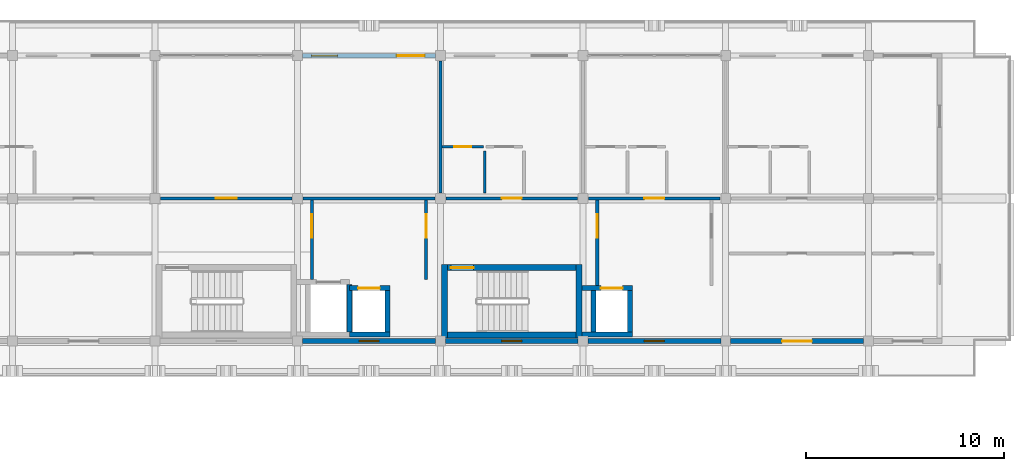
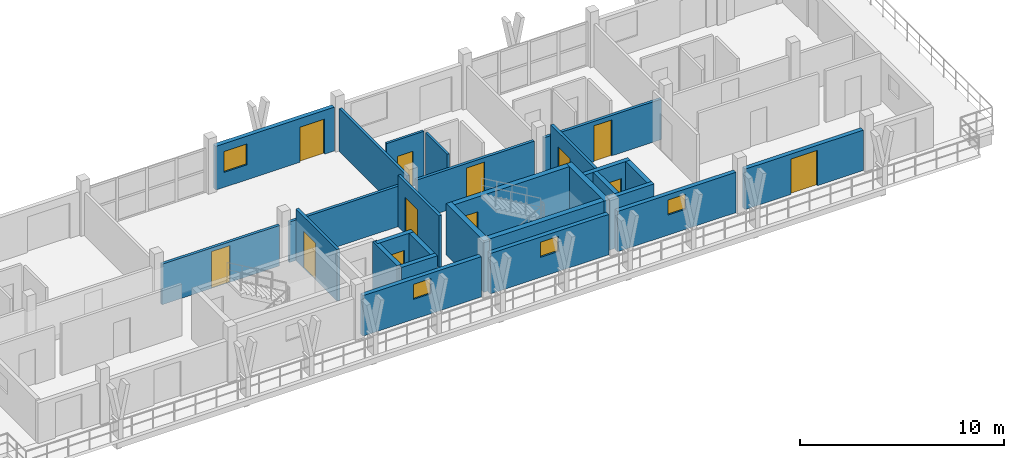
# One storey, part 14 of 19: 27 walls, 12 doors, 4 windows, 16 openings.
"""IFC4 building model written with IfcOpenShell, lengths in metres."""

from ifc_helpers import new_model, si_unit, direction, frame, frame_2d, origin, place, context, subcontext, project, spatial, rectangle, extrude, material, layer, layer_set, type_object, element, fill, save


model = new_model("IFC4")

# Units and contexts
model_context = context("Model", 3, precision=1e-05, world=origin(), true_north=direction((0.0, 1.0)))
body_context = subcontext(model_context, "Body", "Model", "MODEL_VIEW")
ifc_project = project(units=[si_unit("LENGTHUNIT", "METRE"), si_unit("AREAUNIT", "SQUARE_METRE"), si_unit("VOLUMEUNIT", "CUBIC_METRE"), si_unit("PLANEANGLEUNIT", "RADIAN"), si_unit("MASSUNIT", "GRAM", prefix="KILO")], contexts=[model_context])

# Site, building, storey
site_placement = place(None, origin())
site = spatial("IfcSite", under=ifc_project, at=site_placement, CompositionType="ELEMENT")
building_placement = place(site_placement, origin())
building = spatial("IfcBuilding", under=site, at=building_placement, Name="Suanplinth Sawtooth Commons", CompositionType="ELEMENT")
storey_placement = place(building_placement, frame((0.0, 0.0, 44.39990234375)))
storey = spatial("IfcBuildingStorey", under=building, at=storey_placement, Name="L13", CompositionType="ELEMENT", Elevation=44.39990234375)

# Wall
ifc_material_1 = material(Name="Concrete C40/50", Category="concrete")
ifc_layer_1 = layer(ifc_material_1, 0.300048828125, Name="Standard RC stair and lift core wall 300mm")
ifc_layer_set_1 = layer_set([ifc_layer_1], Name="Concrete C40/50")
wall_type_1 = type_object("IfcWallType", Name="W-CR02", PredefinedType="SHEAR", material=ifc_layer_set_1)
wall_1_placement = place(storey_placement, frame((57.949951171875, 108.300048828125, 0.0), z_axis=(0.0, 0.0, 1.0), x_axis=(1.0, 0.0, 0.0)))
element("IfcWall", 1, at=wall_1_placement, inside=storey, type_object=wall_type_1, Name="W-L13-C-A2-STS", PredefinedType="SHEAR", context=body_context, shape_type="SweptSolid", body=[
    extrude(rectangle(XDim=6.5, YDim=0.300048828125, at=frame_2d((3.25, 0.0))), origin(), (0.0, 0.0, 1.0), 3.080078125),
])

# Wall, opening, door
wall_2_placement = place(storey_placement, frame((57.949951171875, 111.699951171875, 0.0), z_axis=(0.0, 0.0, 1.0), x_axis=(1.0, 0.0, 0.0)))
wall_2 = element("IfcWall", 2, at=wall_2_placement, inside=storey, type_object=wall_type_1, Name="W-L13-C-A2-STN", PredefinedType="SHEAR", context=body_context, shape_type="SweptSolid", body=[
    extrude(rectangle(XDim=6.5, YDim=0.300048828125, at=frame_2d((3.25, 0.0))), origin(), (0.0, 0.0, 1.0), 3.080078125),
])
opening_1_placement = place(wall_2_placement, frame((0.179931640625, 0.0, 0.0)))
opening_1 = element("IfcOpeningElement", 3, at=opening_1_placement, cuts=wall_2, Name="Opening FD0142", PredefinedType="OPENING", context=body_context, shape_type="SweptSolid", body=[
    extrude(rectangle(XDim=1.14990234375, YDim=2.199951171875, at=frame_2d((0.574951171875, 1.10009765625))), frame((0.0, 0.1650390625, 0.0), z_axis=(0.0, -1.0, 0.0), x_axis=(1.0, 0.0, 0.0)), (0.0, 0.0, 1.0), 0.329833984375),
])
ifc_material_2 = material(Name="Teak hardwood fire-rated door assembly", Category="wood")
door_type_1 = type_object("IfcDoorType", Name="FD-01", OperationType="NOTDEFINED", PredefinedType="DOOR", material=ifc_material_2)
door_1_placement = place(opening_1_placement, frame((1.14990234375, 0.0, 0.0), z_axis=(0.0, 0.0, 1.0), x_axis=(-1.0, 0.0, 0.0)))
door_1 = element("IfcDoor", 4, at=door_1_placement, inside=storey, type_object=door_type_1, Name="Exit Stair Fire Door FD0142", OperationType="SINGLE_SWING_LEFT", OverallHeight=2.199951171875, OverallWidth=1.14990234375, PredefinedType="DOOR", context=body_context, shape_type="SweptSolid", body=[
    extrude(rectangle(XDim=1.14990234375, YDim=2.199951171875, at=frame_2d((0.574951171875, 1.10009765625))), frame((0.0, 0.02490234375, 0.0), z_axis=(0.0, -1.0, 0.0), x_axis=(1.0, 0.0, 0.0)), (0.0, 0.0, 1.0), 0.050048828125),
])
fill(opening_1, door_1)

# Walls
for number, where, z_axis, x_axis, name in (
    (5, (57.800048828125, 108.14990234375, 0.0), (0.0, 0.0, 1.0), (0.0, 1.0, 0.0), "W-L13-C-A2-STW"),
    (6, (64.60009765625, 108.14990234375, 0.0), (0.0, 0.0, 1.0), (0.0, 1.0, 0.0), "W-L13-C-A2-STE"),
):
    element("IfcWall", number, at=place(storey_placement, frame(where, z_axis=z_axis, x_axis=x_axis)), inside=storey, type_object=wall_type_1, Name=name, PredefinedType="SHEAR", context=body_context, shape_type="SweptSolid", body=[
        extrude(rectangle(XDim=3.7001953125, YDim=0.300048828125, at=frame_2d((1.85009765625, 0.0))), origin(), (0.0, 0.0, 1.0), 3.080078125),
    ])

# Wall, openings, door, window
ifc_material_3 = material(Name="Precast concrete C40/50", Category="concrete")
ifc_layer_2 = layer(ifc_material_3, 0.239990234375, Name="Upper insulated precast facade wall 240mm")
ifc_layer_set_2 = layer_set([ifc_layer_2], Name="Precast concrete C40/50")
wall_type_2 = type_object("IfcWallType", Name="W-EX03", PredefinedType="ELEMENTEDWALL", material=ifc_layer_set_2)
wall_3_placement = place(storey_placement, frame((50.64990234375, 122.39990234375, 0.0), z_axis=(0.0, 0.0, 1.0), x_axis=(1.0, 0.0, 0.0)))
wall_3 = element("IfcWall", 7, at=wall_3_placement, inside=storey, type_object=wall_type_2, Name="Facade Wall W-L13-A-N-3", PredefinedType="ELEMENTEDWALL", context=body_context, shape_type="SweptSolid", body=[
    extrude(rectangle(XDim=6.7001953125, YDim=0.239990234375, at=frame_2d((3.35009765625, 0.0))), origin(), (0.0, 0.0, 1.0), 2.614990234375),
])
opening_2_placement = place(wall_3_placement, frame((4.75, 0.0, 0.0)))
opening_2 = element("IfcOpeningElement", 8, at=opening_2_placement, cuts=wall_3, Name="Opening ED0837", PredefinedType="OPENING", context=body_context, shape_type="SweptSolid", body=[
    extrude(rectangle(XDim=1.39990234375, YDim=2.10009765625, at=frame_2d((0.699951171875, 1.050048828125))), frame((0.0, 0.134765625, 0.0), z_axis=(0.0, -1.0, 0.0), x_axis=(1.0, 0.0, 0.0)), (0.0, 0.0, 1.0), 0.269775390625),
])
opening_3_placement = place(wall_3_placement, frame((0.449951171875, 0.0, 0.89990234375)))
opening_3 = element("IfcOpeningElement", 9, at=opening_3_placement, cuts=wall_3, Name="Opening W0919", PredefinedType="OPENING", context=body_context, shape_type="SweptSolid", body=[
    extrude(rectangle(XDim=1.300048828125, YDim=1.25, at=frame_2d((0.64990234375, 0.625))), frame((0.0, 0.134765625, 0.0), z_axis=(0.0, -1.0, 0.0), x_axis=(1.0, 0.0, 0.0)), (0.0, 0.0, 1.0), 0.269775390625),
])
ifc_material_4 = material(Name="Anodized aluminium and low-E glass", Category="aluminium")
door_type_2 = type_object("IfcDoorType", Name="SD-07", OperationType="SLIDING_TO_RIGHT", PredefinedType="DOOR", material=ifc_material_4)
door_2_placement = place(opening_2_placement, frame((1.39990234375, 0.0, 0.0), z_axis=(0.0, 0.0, 1.0), x_axis=(-1.0, 0.0, 0.0)))
door_2 = element("IfcDoor", 10, at=door_2_placement, inside=storey, type_object=door_type_2, Name="Balcony Sliding Door L13-A-N-3", OperationType="SLIDING_TO_RIGHT", OverallHeight=2.10009765625, OverallWidth=1.39990234375, PredefinedType="DOOR", context=body_context, shape_type="SweptSolid", body=[
    extrude(rectangle(XDim=1.39990234375, YDim=2.10009765625, at=frame_2d((0.699951171875, 1.050048828125))), frame((0.0, 0.02490234375, 0.0), z_axis=(0.0, -1.0, 0.0), x_axis=(1.0, 0.0, 0.0)), (0.0, 0.0, 1.0), 0.050048828125),
])
fill(opening_2, door_2)
ifc_material_5 = material(Name="Thermally broken aluminium and low-E double glazing", Category="aluminium")
window_type_1 = type_object("IfcWindowType", Name="WN-24", PartitioningType="SINGLE_PANEL", PredefinedType="WINDOW", material=ifc_material_5)
window_1_placement = place(opening_3_placement, origin())
window_1 = element("IfcWindow", 11, at=window_1_placement, inside=storey, type_object=window_type_1, Name="Window L13-A-N-3", OverallHeight=1.25, OverallWidth=1.300048828125, PartitioningType="SINGLE_PANEL", PredefinedType="WINDOW", context=body_context, shape_type="SweptSolid", body=[
    extrude(rectangle(XDim=1.300048828125, YDim=1.25, at=frame_2d((0.64990234375, 0.625))), frame((0.0, 0.030029296875, 0.0), z_axis=(0.0, -1.0, 0.0), x_axis=(1.0, 0.0, 0.0)), (0.0, 0.0, 1.0), 0.06005859375),
])
fill(opening_3, window_1)

# Wall, opening, window
wall_4_placement = place(storey_placement, frame((50.64990234375, 108.0, 0.0), z_axis=(0.0, 0.0, 1.0), x_axis=(1.0, 0.0, 0.0)))
wall_4 = element("IfcWall", 12, at=wall_4_placement, inside=storey, type_object=wall_type_2, Name="Courtyard Wall W-L13-A-S-3", PredefinedType="ELEMENTEDWALL", context=body_context, shape_type="SweptSolid", body=[
    extrude(rectangle(XDim=6.7001953125, YDim=0.239990234375, at=frame_2d((3.35009765625, 0.0))), origin(), (0.0, 0.0, 1.0), 2.4150390625),
])
opening_4_placement = place(wall_4_placement, frame((2.85009765625, 0.0, 1.199951171875)))
opening_4 = element("IfcOpeningElement", 13, at=opening_4_placement, cuts=wall_4, Name="Opening W0920", PredefinedType="OPENING", context=body_context, shape_type="SweptSolid", body=[
    extrude(rectangle(XDim=1.0, YDim=0.89990234375, at=frame_2d((0.5, 0.449951171875))), frame((0.0, 0.134765625, 0.0), z_axis=(0.0, -1.0, 0.0), x_axis=(1.0, 0.0, 0.0)), (0.0, 0.0, 1.0), 0.269775390625),
])
window_type_2 = type_object("IfcWindowType", Name="WN-12", PartitioningType="SINGLE_PANEL", PredefinedType="WINDOW", material=ifc_material_5)
window_2_placement = place(opening_4_placement, origin())
window_2 = element("IfcWindow", 14, at=window_2_placement, inside=storey, type_object=window_type_2, Name="Core Daylight Window L13-A-3", OverallHeight=0.89990234375, OverallWidth=1.0, PartitioningType="SINGLE_PANEL", PredefinedType="WINDOW", context=body_context, shape_type="SweptSolid", body=[
    extrude(rectangle(XDim=1.0, YDim=0.89990234375, at=frame_2d((0.5, 0.449951171875))), frame((0.0, 0.030029296875, 0.0), z_axis=(0.0, -1.0, 0.0), x_axis=(1.0, 0.0, 0.0)), (0.0, 0.0, 1.0), 0.06005859375),
])
fill(opening_4, window_2)

wall_5_placement = place(storey_placement, frame((57.85009765625, 108.0, 0.0), z_axis=(0.0, 0.0, 1.0), x_axis=(1.0, 0.0, 0.0)))
wall_5 = element("IfcWall", 15, at=wall_5_placement, inside=storey, type_object=wall_type_2, Name="Courtyard Wall W-L13-A-S-4", PredefinedType="ELEMENTEDWALL", context=body_context, shape_type="SweptSolid", body=[
    extrude(rectangle(XDim=6.699951171875, YDim=0.239990234375, at=frame_2d((3.35009765625, 0.0))), origin(), (0.0, 0.0, 1.0), 2.4150390625),
])
opening_5_placement = place(wall_5_placement, frame((2.85009765625, 0.0, 1.199951171875)))
opening_5 = element("IfcOpeningElement", 16, at=opening_5_placement, cuts=wall_5, Name="Opening W0922", PredefinedType="OPENING", context=body_context, shape_type="SweptSolid", body=[
    extrude(rectangle(XDim=1.0, YDim=0.89990234375, at=frame_2d((0.5, 0.449951171875))), frame((0.0, 0.134765625, 0.0), z_axis=(0.0, -1.0, 0.0), x_axis=(1.0, 0.0, 0.0)), (0.0, 0.0, 1.0), 0.269775390625),
])
window_3_placement = place(opening_5_placement, origin())
window_3 = element("IfcWindow", 17, at=window_3_placement, inside=storey, type_object=window_type_2, Name="Core Daylight Window L13-A-4", OverallHeight=0.89990234375, OverallWidth=1.0, PartitioningType="SINGLE_PANEL", PredefinedType="WINDOW", context=body_context, shape_type="SweptSolid", body=[
    extrude(rectangle(XDim=1.0, YDim=0.89990234375, at=frame_2d((0.5, 0.449951171875))), frame((0.0, 0.030029296875, 0.0), z_axis=(0.0, -1.0, 0.0), x_axis=(1.0, 0.0, 0.0)), (0.0, 0.0, 1.0), 0.06005859375),
])
fill(opening_5, window_3)

wall_6_placement = place(storey_placement, frame((65.050048828125, 108.0, 0.0), z_axis=(0.0, 0.0, 1.0), x_axis=(1.0, 0.0, 0.0)))
wall_6 = element("IfcWall", 18, at=wall_6_placement, inside=storey, type_object=wall_type_2, Name="Courtyard Wall W-L13-A-S-5", PredefinedType="ELEMENTEDWALL", context=body_context, shape_type="SweptSolid", body=[
    extrude(rectangle(XDim=6.699951171875, YDim=0.239990234375, at=frame_2d((3.35009765625, 0.0))), origin(), (0.0, 0.0, 1.0), 2.4150390625),
])
opening_6_placement = place(wall_6_placement, frame((2.85009765625, 0.0, 1.199951171875)))
opening_6 = element("IfcOpeningElement", 19, at=opening_6_placement, cuts=wall_6, Name="Opening W0923", PredefinedType="OPENING", context=body_context, shape_type="SweptSolid", body=[
    extrude(rectangle(XDim=1.0, YDim=0.89990234375, at=frame_2d((0.5, 0.449951171875))), frame((0.0, 0.134765625, 0.0), z_axis=(0.0, -1.0, 0.0), x_axis=(1.0, 0.0, 0.0)), (0.0, 0.0, 1.0), 0.269775390625),
])
window_4_placement = place(opening_6_placement, origin())
window_4 = element("IfcWindow", 20, at=window_4_placement, inside=storey, type_object=window_type_2, Name="Core Daylight Window L13-A-5", OverallHeight=0.89990234375, OverallWidth=1.0, PartitioningType="SINGLE_PANEL", PredefinedType="WINDOW", context=body_context, shape_type="SweptSolid", body=[
    extrude(rectangle(XDim=1.0, YDim=0.89990234375, at=frame_2d((0.5, 0.449951171875))), frame((0.0, 0.030029296875, 0.0), z_axis=(0.0, -1.0, 0.0), x_axis=(1.0, 0.0, 0.0)), (0.0, 0.0, 1.0), 0.06005859375),
])
fill(opening_6, window_4)

# Wall, opening, door
wall_7_placement = place(storey_placement, frame((72.25, 108.0, 0.0), z_axis=(0.0, 0.0, 1.0), x_axis=(1.0, 0.0, 0.0)))
wall_7 = element("IfcWall", 21, at=wall_7_placement, inside=storey, type_object=wall_type_2, Name="Courtyard Wall W-L13-A-S-6", PredefinedType="ELEMENTEDWALL", context=body_context, shape_type="SweptSolid", body=[
    extrude(rectangle(XDim=6.699951171875, YDim=0.239990234375, at=frame_2d((3.35009765625, 0.0))), origin(), (0.0, 0.0, 1.0), 2.4150390625),
])
opening_7_placement = place(wall_7_placement, frame((2.60009765625, 0.0, 0.0)))
opening_7 = element("IfcOpeningElement", 22, at=opening_7_placement, cuts=wall_7, Name="Opening ED0840", PredefinedType="OPENING", context=body_context, shape_type="SweptSolid", body=[
    extrude(rectangle(XDim=1.5, YDim=2.1201171875, at=frame_2d((0.75, 1.06005859375))), frame((0.0, 0.134765625, 0.0), z_axis=(0.0, -1.0, 0.0), x_axis=(1.0, 0.0, 0.0)), (0.0, 0.0, 1.0), 0.269775390625),
])
door_type_3 = type_object("IfcDoorType", Name="SD-03", OperationType="SLIDING_TO_LEFT", PredefinedType="DOOR", material=ifc_material_4)
door_3_placement = place(opening_7_placement, frame((1.5, 0.0, 0.0), z_axis=(0.0, 0.0, 1.0), x_axis=(-1.0, 0.0, 0.0)))
door_3 = element("IfcDoor", 23, at=door_3_placement, inside=storey, type_object=door_type_3, Name="Courtyard Balcony Sliding Door L13-A-S-6", OperationType="SLIDING_TO_LEFT", OverallHeight=2.1201171875, OverallWidth=1.5, PredefinedType="DOOR", context=body_context, shape_type="SweptSolid", body=[
    extrude(rectangle(XDim=1.5, YDim=2.1201171875, at=frame_2d((0.75, 1.06005859375))), frame((0.0, 0.02490234375, 0.0), z_axis=(0.0, -1.0, 0.0), x_axis=(1.0, 0.0, 0.0)), (0.0, 0.0, 1.0), 0.050048828125),
])
fill(opening_7, door_3)

ifc_layer_3 = layer(ifc_material_3, 0.159912109375, Name="Fire-rated corridor and lobby wall 160mm")
ifc_layer_set_3 = layer_set([ifc_layer_3], Name="Precast concrete C40/50")
wall_type_3 = type_object("IfcWallType", Name="W-FW01", PredefinedType="PARTITIONING", material=ifc_layer_set_3)
wall_8_placement = place(storey_placement, frame((51.1201171875, 111.10009765625, 0.0), z_axis=(0.0, 0.0, 1.0), x_axis=(0.0, 1.0, 0.0)))
wall_8 = element("IfcWall", 24, at=wall_8_placement, inside=storey, type_object=wall_type_3, Name="W-L13-C-A1-LOB-W", PredefinedType="PARTITIONING", context=body_context, shape_type="SweptSolid", body=[
    extrude(rectangle(XDim=4.02001953125, YDim=0.159912109375, at=frame_2d((2.010009765625, 0.0))), origin(), (0.0, 0.0, 1.0), 3.080078125),
])
opening_8_placement = place(wall_8_placement, frame((2.10009765625, 0.0, 0.0)))
opening_8 = element("IfcOpeningElement", 25, at=opening_8_placement, cuts=wall_8, Name="Opening FD0072", PredefinedType="OPENING", context=body_context, shape_type="SweptSolid", body=[
    extrude(rectangle(XDim=1.199951171875, YDim=2.199951171875, at=frame_2d((0.60009765625, 1.10009765625))), frame((0.0, 0.0947265625, 0.0), z_axis=(0.0, -1.0, 0.0), x_axis=(1.0, 0.0, 0.0)), (0.0, 0.0, 1.0), 0.189697265625),
])
door_type_4 = type_object("IfcDoorType", Name="FD-02", OperationType="NOTDEFINED", PredefinedType="DOOR", material=ifc_material_2)
door_4_placement = place(opening_8_placement, origin())
door_4 = element("IfcDoor", 26, at=door_4_placement, inside=storey, type_object=door_type_4, Name="Lobby Fire Door FD0072", OperationType="SINGLE_SWING_LEFT", OverallHeight=2.199951171875, OverallWidth=1.199951171875, PredefinedType="DOOR", context=body_context, shape_type="SweptSolid", body=[
    extrude(rectangle(XDim=1.199951171875, YDim=2.199951171875, at=frame_2d((0.60009765625, 1.10009765625))), frame((0.0, 0.02490234375, 0.0), z_axis=(0.0, -1.0, 0.0), x_axis=(1.0, 0.0, 0.0)), (0.0, 0.0, 1.0), 0.050048828125),
])
fill(opening_8, door_4)

wall_9_placement = place(storey_placement, frame((56.8798828125, 111.10009765625, 0.0), z_axis=(0.0, 0.0, 1.0), x_axis=(0.0, 1.0, 0.0)))
wall_9 = element("IfcWall", 27, at=wall_9_placement, inside=storey, type_object=wall_type_3, Name="W-L13-C-A1-LOB-E", PredefinedType="PARTITIONING", context=body_context, shape_type="SweptSolid", body=[
    extrude(rectangle(XDim=4.02001953125, YDim=0.159912109375, at=frame_2d((2.010009765625, 0.0))), origin(), (0.0, 0.0, 1.0), 3.080078125),
])
opening_9_placement = place(wall_9_placement, frame((2.10009765625, 0.0, 0.0)))
opening_9 = element("IfcOpeningElement", 28, at=opening_9_placement, cuts=wall_9, Name="Opening FD0073", PredefinedType="OPENING", context=body_context, shape_type="SweptSolid", body=[
    extrude(rectangle(XDim=1.199951171875, YDim=2.199951171875, at=frame_2d((0.60009765625, 1.10009765625))), frame((0.0, 0.0947265625, 0.0), z_axis=(0.0, -1.0, 0.0), x_axis=(1.0, 0.0, 0.0)), (0.0, 0.0, 1.0), 0.189697265625),
])
door_5_placement = place(opening_9_placement, frame((1.199951171875, 0.0, 0.0), z_axis=(0.0, 0.0, 1.0), x_axis=(-1.0, 0.0, 0.0)))
door_5 = element("IfcDoor", 29, at=door_5_placement, inside=storey, type_object=door_type_4, Name="Lobby Fire Door FD0073", OperationType="SINGLE_SWING_RIGHT", OverallHeight=2.199951171875, OverallWidth=1.199951171875, PredefinedType="DOOR", context=body_context, shape_type="SweptSolid", body=[
    extrude(rectangle(XDim=1.199951171875, YDim=2.199951171875, at=frame_2d((0.60009765625, 1.10009765625))), frame((0.0, 0.02490234375, 0.0), z_axis=(0.0, -1.0, 0.0), x_axis=(1.0, 0.0, 0.0)), (0.0, 0.0, 1.0), 0.050048828125),
])
fill(opening_9, door_5)

wall_10_placement = place(storey_placement, frame((65.52001953125, 110.800048828125, 0.0), z_axis=(0.0, 0.0, 1.0), x_axis=(0.0, 1.0, 0.0)))
wall_10 = element("IfcWall", 30, at=wall_10_placement, inside=storey, type_object=wall_type_3, Name="W-L13-C-A2-LOB-W", PredefinedType="PARTITIONING", context=body_context, shape_type="SweptSolid", body=[
    extrude(rectangle(XDim=4.320068359375, YDim=0.159912109375, at=frame_2d((2.16015625, 0.0))), origin(), (0.0, 0.0, 1.0), 3.080078125),
])
opening_10_placement = place(wall_10_placement, frame((2.39990234375, 0.0, 0.0)))
opening_10 = element("IfcOpeningElement", 31, at=opening_10_placement, cuts=wall_10, Name="Opening FD0143", PredefinedType="OPENING", context=body_context, shape_type="SweptSolid", body=[
    extrude(rectangle(XDim=1.199951171875, YDim=2.199951171875, at=frame_2d((0.60009765625, 1.10009765625))), frame((0.0, 0.0947265625, 0.0), z_axis=(0.0, -1.0, 0.0), x_axis=(1.0, 0.0, 0.0)), (0.0, 0.0, 1.0), 0.189697265625),
])
door_6_placement = place(opening_10_placement, origin())
door_6 = element("IfcDoor", 32, at=door_6_placement, inside=storey, type_object=door_type_4, Name="Lobby Fire Door FD0143", OperationType="SINGLE_SWING_RIGHT", OverallHeight=2.199951171875, OverallWidth=1.199951171875, PredefinedType="DOOR", context=body_context, shape_type="SweptSolid", body=[
    extrude(rectangle(XDim=1.199951171875, YDim=2.199951171875, at=frame_2d((0.60009765625, 1.10009765625))), frame((0.0, 0.02490234375, 0.0), z_axis=(0.0, -1.0, 0.0), x_axis=(1.0, 0.0, 0.0)), (0.0, 0.0, 1.0), 0.050048828125),
])
fill(opening_10, door_6)

wall_11_placement = place(storey_placement, frame((43.47998046875, 115.199951171875, 0.0), z_axis=(0.0, 0.0, 1.0), x_axis=(1.0, 0.0, 0.0)))
wall_11 = element("IfcWall", 33, at=wall_11_placement, inside=storey, type_object=wall_type_3, Name="W-A-L13-U02-COR-S1", PredefinedType="PARTITIONING", context=body_context, shape_type="SweptSolid", body=[
    extrude(rectangle(XDim=6.64013671875, YDim=0.159912109375, at=frame_2d((3.320068359375, 0.0))), origin(), (0.0, 0.0, 1.0), 2.4150390625),
])
opening_11_placement = place(wall_11_placement, frame((2.794921875, 0.0, 0.0)))
opening_11 = element("IfcOpeningElement", 34, at=opening_11_placement, cuts=wall_11, Name="Opening D2041", PredefinedType="OPENING", context=body_context, shape_type="SweptSolid", body=[
    extrude(rectangle(XDim=1.050048828125, YDim=2.199951171875, at=frame_2d((0.52490234375, 1.10009765625))), frame((0.0, 0.0947265625, 0.0), z_axis=(0.0, -1.0, 0.0), x_axis=(1.0, 0.0, 0.0)), (0.0, 0.0, 1.0), 0.189697265625),
])
ifc_material_6 = material(Name="Teak hardwood", Category="wood")
door_type_5 = type_object("IfcDoorType", Name="D-05", OperationType="NOTDEFINED", PredefinedType="DOOR", material=ifc_material_6)
door_7_placement = place(opening_11_placement, origin())
door_7 = element("IfcDoor", 35, at=door_7_placement, inside=storey, type_object=door_type_5, Name="Unit Entrance Door D2041", OperationType="SINGLE_SWING_LEFT", OverallHeight=2.199951171875, OverallWidth=1.050048828125, PredefinedType="DOOR", context=body_context, shape_type="SweptSolid", body=[
    extrude(rectangle(XDim=1.050048828125, YDim=2.199951171875, at=frame_2d((0.52490234375, 1.10009765625))), frame((0.0, 0.02490234375, 0.0), z_axis=(0.0, -1.0, 0.0), x_axis=(1.0, 0.0, 0.0)), (0.0, 0.0, 1.0), 0.050048828125),
])
fill(opening_11, door_7)

# Wall
wall_12_placement = place(storey_placement, frame((50.679931640625, 115.199951171875, 0.0), z_axis=(0.0, 0.0, 1.0), x_axis=(1.0, 0.0, 0.0)))
element("IfcWall", 36, at=wall_12_placement, inside=storey, type_object=wall_type_3, Name="W-A-L13-U02-COR-S2", PredefinedType="PARTITIONING", context=body_context, shape_type="SweptSolid", body=[
    extrude(rectangle(XDim=6.64013671875, YDim=0.159912109375, at=frame_2d((3.320068359375, 0.0))), origin(), (0.0, 0.0, 1.0), 2.4150390625),
])

# Wall, opening, door
wall_13_placement = place(storey_placement, frame((57.8798828125, 115.199951171875, 0.0), z_axis=(0.0, 0.0, 1.0), x_axis=(1.0, 0.0, 0.0)))
wall_13 = element("IfcWall", 37, at=wall_13_placement, inside=storey, type_object=wall_type_3, Name="W-A-L13-U03-COR", PredefinedType="PARTITIONING", context=body_context, shape_type="SweptSolid", body=[
    extrude(rectangle(XDim=6.64013671875, YDim=0.159912109375, at=frame_2d((3.320068359375, 0.0))), origin(), (0.0, 0.0, 1.0), 2.4150390625),
])
opening_12_placement = place(wall_13_placement, frame((2.820068359375, 0.0, 0.0)))
opening_12 = element("IfcOpeningElement", 38, at=opening_12_placement, cuts=wall_13, Name="Opening FD2042", PredefinedType="OPENING", context=body_context, shape_type="SweptSolid", body=[
    extrude(rectangle(XDim=1.0, YDim=2.14990234375, at=frame_2d((0.5, 1.074951171875))), frame((0.0, 0.0947265625, 0.0), z_axis=(0.0, -1.0, 0.0), x_axis=(1.0, 0.0, 0.0)), (0.0, 0.0, 1.0), 0.189697265625),
])
door_type_6 = type_object("IfcDoorType", Name="FD-03", OperationType="NOTDEFINED", PredefinedType="DOOR", material=ifc_material_2)
door_8_placement = place(opening_12_placement, origin())
door_8 = element("IfcDoor", 39, at=door_8_placement, inside=storey, type_object=door_type_6, Name="Unit Entrance Door FD2042", OperationType="SINGLE_SWING_RIGHT", OverallHeight=2.14990234375, OverallWidth=1.0, PredefinedType="DOOR", context=body_context, shape_type="SweptSolid", body=[
    extrude(rectangle(XDim=1.0, YDim=2.14990234375, at=frame_2d((0.5, 1.074951171875))), frame((0.0, 0.02490234375, 0.0), z_axis=(0.0, -1.0, 0.0), x_axis=(1.0, 0.0, 0.0)), (0.0, 0.0, 1.0), 0.050048828125),
])
fill(opening_12, door_8)

wall_14_placement = place(storey_placement, frame((65.080078125, 115.199951171875, 0.0), z_axis=(0.0, 0.0, 1.0), x_axis=(1.0, 0.0, 0.0)))
wall_14 = element("IfcWall", 40, at=wall_14_placement, inside=storey, type_object=wall_type_3, Name="W-A-L13-U04-COR", PredefinedType="PARTITIONING", context=body_context, shape_type="SweptSolid", body=[
    extrude(rectangle(XDim=6.639892578125, YDim=0.159912109375, at=frame_2d((3.31982421875, 0.0))), origin(), (0.0, 0.0, 1.0), 2.4150390625),
])
opening_13_placement = place(wall_14_placement, frame((2.820068359375, 0.0, 0.0)))
opening_13 = element("IfcOpeningElement", 41, at=opening_13_placement, cuts=wall_14, Name="Opening FD2045", PredefinedType="OPENING", context=body_context, shape_type="SweptSolid", body=[
    extrude(rectangle(XDim=1.0, YDim=2.14990234375, at=frame_2d((0.5, 1.074951171875))), frame((0.0, 0.0947265625, 0.0), z_axis=(0.0, -1.0, 0.0), x_axis=(1.0, 0.0, 0.0)), (0.0, 0.0, 1.0), 0.189697265625),
])
door_9_placement = place(opening_13_placement, origin())
door_9 = element("IfcDoor", 42, at=door_9_placement, inside=storey, type_object=door_type_6, Name="Unit Entrance Door FD2045", OperationType="SINGLE_SWING_LEFT", OverallHeight=2.14990234375, OverallWidth=1.0, PredefinedType="DOOR", context=body_context, shape_type="SweptSolid", body=[
    extrude(rectangle(XDim=1.0, YDim=2.14990234375, at=frame_2d((0.5, 1.074951171875))), frame((0.0, 0.02490234375, 0.0), z_axis=(0.0, -1.0, 0.0), x_axis=(1.0, 0.0, 0.0)), (0.0, 0.0, 1.0), 0.050048828125),
])
fill(opening_13, door_9)

# Wall
ifc_layer_4 = layer(ifc_material_3, 0.14990234375, Name="Acoustic precast party demising wall 150mm")
ifc_layer_set_4 = layer_set([ifc_layer_4], Name="Precast concrete C40/50")
wall_type_4 = type_object("IfcWallType", Name="W-FW02", PredefinedType="PARTITIONING", material=ifc_layer_set_4)
wall_15_placement = place(storey_placement, frame((57.60009765625, 115.47998046875, 0.0), z_axis=(0.0, 0.0, 1.0), x_axis=(0.0, 1.0, 0.0)))
element("IfcWall", 43, at=wall_15_placement, inside=storey, type_object=wall_type_4, Name="W-A-L13-U02-PTY", PredefinedType="PARTITIONING", context=body_context, shape_type="SweptSolid", body=[
    extrude(rectangle(XDim=6.64013671875, YDim=0.14990234375, at=frame_2d((3.320068359375, 0.0))), origin(), (0.0, 0.0, 1.0), 2.565185546875),
])

# Wall, opening, door
ifc_material_7 = material(Name="Gypsum plasterboard on steel stud", Category="steel")
ifc_layer_5 = layer(ifc_material_7, 0.1298828125, Name="Moisture-resistant bathroom partition 130mm")
ifc_layer_set_5 = layer_set([ifc_layer_5], Name="Gypsum plasterboard on steel stud")
wall_type_5 = type_object("IfcWallType", Name="W-PT02", PredefinedType="PARTITIONING", material=ifc_layer_set_5)
wall_16_placement = place(storey_placement, frame((57.679931640625, 117.794921875, 0.0), z_axis=(0.0, 0.0, 1.0), x_axis=(1.0, 0.0, 0.0)))
wall_16 = element("IfcWall", 44, at=wall_16_placement, inside=storey, type_object=wall_type_5, Name="W-A-L13-U03-BTH1", PredefinedType="PARTITIONING", context=body_context, shape_type="SweptSolid", body=[
    extrude(rectangle(XDim=2.10009765625, YDim=0.1298828125, at=frame_2d((1.050048828125, 0.0))), origin(), (0.0, 0.0, 1.0), 3.080078125),
])
opening_14_placement = place(wall_16_placement, frame((0.610107421875, 0.0, 0.0)))
opening_14 = element("IfcOpeningElement", 45, at=opening_14_placement, cuts=wall_16, Name="Opening D2043", PredefinedType="OPENING", context=body_context, shape_type="SweptSolid", body=[
    extrude(rectangle(XDim=0.8798828125, YDim=2.10009765625, at=frame_2d((0.43994140625, 1.050048828125))), frame((0.0, 0.079833984375, 0.0), z_axis=(0.0, -1.0, 0.0), x_axis=(1.0, 0.0, 0.0)), (0.0, 0.0, 1.0), 0.15966796875),
])
door_type_7 = type_object("IfcDoorType", Name="D-14", OperationType="NOTDEFINED", PredefinedType="DOOR", material=ifc_material_6)
door_10_placement = place(opening_14_placement, frame((0.8798828125, 0.0, 0.0), z_axis=(0.0, 0.0, 1.0), x_axis=(-1.0, 0.0, 0.0)))
door_10 = element("IfcDoor", 46, at=door_10_placement, inside=storey, type_object=door_type_7, Name="Bathroom Door D2043", OperationType="SINGLE_SWING_LEFT", OverallHeight=2.10009765625, OverallWidth=0.8798828125, PredefinedType="DOOR", context=body_context, shape_type="SweptSolid", body=[
    extrude(rectangle(XDim=0.8798828125, YDim=2.10009765625, at=frame_2d((0.43994140625, 1.050048828125))), frame((0.0, 0.02490234375, 0.0), z_axis=(0.0, -1.0, 0.0), x_axis=(1.0, 0.0, 0.0)), (0.0, 0.0, 1.0), 0.050048828125),
])
fill(opening_14, door_10)

# Walls
wall_17_placement = place(storey_placement, frame((59.844970703125, 115.4599609375, 0.0), z_axis=(0.0, 0.0, 1.0), x_axis=(0.0, 1.0, 0.0)))
element("IfcWall", 47, at=wall_17_placement, inside=storey, type_object=wall_type_5, Name="W-A-L13-U03-BTH2", PredefinedType="PARTITIONING", context=body_context, shape_type="SweptSolid", body=[
    extrude(rectangle(XDim=2.130126953125, YDim=0.1298828125, at=frame_2d((1.06494140625, 0.0))), origin(), (0.0, 0.0, 1.0), 3.080078125),
])
ifc_layer_6 = layer(ifc_material_3, 0.25, Name="Precast structural shear wall 250mm")
ifc_layer_set_6 = layer_set([ifc_layer_6], Name="Precast concrete C40/50")
wall_type_6 = type_object("IfcWallType", Name="W-SH01", PredefinedType="SHEAR", material=ifc_layer_set_6)
wall_18_placement = place(storey_placement, frame((53.02490234375, 108.449951171875, 0.0), z_axis=(0.0, 0.0, 1.0), x_axis=(0.0, 1.0, 0.0)))
element("IfcWall", 48, at=wall_18_placement, inside=storey, type_object=wall_type_6, Name="W-L13-FL1-DIV", PredefinedType="SHEAR", context=body_context, shape_type="SweptSolid", body=[
    extrude(rectangle(XDim=2.400146484375, YDim=0.25, at=frame_2d((1.2001953125, 0.0))), origin(), (0.0, 0.0, 1.0), 3.080078125),
])
wall_19_placement = place(storey_placement, frame((53.02490234375, 108.324951171875, 0.0), z_axis=(0.0, 0.0, 1.0), x_axis=(1.0, 0.0, 0.0)))
element("IfcWall", 49, at=wall_19_placement, inside=storey, type_object=wall_type_6, Name="W-L13-LF1-S", PredefinedType="SHEAR", context=body_context, shape_type="SweptSolid", body=[
    extrude(rectangle(XDim=2.025146484375, YDim=0.25, at=frame_2d((1.0126953125, 0.0))), origin(), (0.0, 0.0, 1.0), 3.080078125),
])

# Wall, opening, door
wall_20_placement = place(storey_placement, frame((53.02490234375, 110.675048828125, 0.0), z_axis=(0.0, 0.0, 1.0), x_axis=(1.0, 0.0, 0.0)))
wall_20 = element("IfcWall", 50, at=wall_20_placement, inside=storey, type_object=wall_type_6, Name="W-L13-LF1-N", PredefinedType="SHEAR", context=body_context, shape_type="SweptSolid", body=[
    extrude(rectangle(XDim=2.025146484375, YDim=0.25, at=frame_2d((1.0126953125, 0.0))), origin(), (0.0, 0.0, 1.0), 3.080078125),
])
opening_15_placement = place(wall_20_placement, frame((0.425048828125, 0.0, 0.0)))
opening_15 = element("IfcOpeningElement", 51, at=opening_15_placement, cuts=wall_20, Name="Opening LD0075", PredefinedType="OPENING", context=body_context, shape_type="SweptSolid", body=[
    extrude(rectangle(XDim=1.10009765625, YDim=2.14990234375, at=frame_2d((0.550048828125, 1.074951171875))), frame((0.0, 0.139892578125, 0.0), z_axis=(0.0, -1.0, 0.0), x_axis=(1.0, 0.0, 0.0)), (0.0, 0.0, 1.0), 0.27978515625),
])
ifc_material_8 = material(Name="Stainless steel Grade 304", Category="steel")
door_type_8 = type_object("IfcDoorType", Name="LD-01", OperationType="SLIDING_TO_LEFT", PredefinedType="DOOR", material=ifc_material_8)
door_11_placement = place(opening_15_placement, origin())
door_11 = element("IfcDoor", 52, at=door_11_placement, inside=storey, type_object=door_type_8, Name="Lift Landing Sliding Door LF1 L13", OperationType="SLIDING_TO_LEFT", OverallHeight=2.14990234375, OverallWidth=1.10009765625, PredefinedType="DOOR", context=body_context, shape_type="SweptSolid", body=[
    extrude(rectangle(XDim=1.10009765625, YDim=2.14990234375, at=frame_2d((0.550048828125, 1.074951171875))), frame((0.0, 0.02490234375, 0.0), z_axis=(0.0, -1.0, 0.0), x_axis=(1.0, 0.0, 0.0)), (0.0, 0.0, 1.0), 0.050048828125),
])
fill(opening_15, door_11)

# Walls
wall_21_placement = place(storey_placement, frame((54.925048828125, 108.449951171875, 0.0), z_axis=(0.0, 0.0, 1.0), x_axis=(0.0, 1.0, 0.0)))
element("IfcWall", 53, at=wall_21_placement, inside=storey, type_object=wall_type_6, Name="W-L13-LF1-E", PredefinedType="SHEAR", context=body_context, shape_type="SweptSolid", body=[
    extrude(rectangle(XDim=2.10009765625, YDim=0.25, at=frame_2d((1.050048828125, 0.0))), origin(), (0.0, 0.0, 1.0), 3.080078125),
])
wall_22_placement = place(storey_placement, frame((64.75, 108.324951171875, 0.0), z_axis=(0.0, 0.0, 1.0), x_axis=(1.0, 0.0, 0.0)))
element("IfcWall", 54, at=wall_22_placement, inside=storey, type_object=wall_type_6, Name="W-L13-LF2-S", PredefinedType="SHEAR", context=body_context, shape_type="SweptSolid", body=[
    extrude(rectangle(XDim=2.550048828125, YDim=0.25, at=frame_2d((1.27490234375, 0.0))), origin(), (0.0, 0.0, 1.0), 3.080078125),
])

# Wall, opening, door
wall_23_placement = place(storey_placement, frame((64.75, 110.675048828125, 0.0), z_axis=(0.0, 0.0, 1.0), x_axis=(1.0, 0.0, 0.0)))
wall_23 = element("IfcWall", 55, at=wall_23_placement, inside=storey, type_object=wall_type_6, Name="W-L13-LF2-N", PredefinedType="SHEAR", context=body_context, shape_type="SweptSolid", body=[
    extrude(rectangle(XDim=2.550048828125, YDim=0.25, at=frame_2d((1.27490234375, 0.0))), origin(), (0.0, 0.0, 1.0), 3.080078125),
])
opening_16_placement = place(wall_23_placement, frame((0.949951171875, 0.0, 0.0)))
opening_16 = element("IfcOpeningElement", 56, at=opening_16_placement, cuts=wall_23, Name="Opening LD0145", PredefinedType="OPENING", context=body_context, shape_type="SweptSolid", body=[
    extrude(rectangle(XDim=1.10009765625, YDim=2.14990234375, at=frame_2d((0.550048828125, 1.074951171875))), frame((0.0, 0.139892578125, 0.0), z_axis=(0.0, -1.0, 0.0), x_axis=(1.0, 0.0, 0.0)), (0.0, 0.0, 1.0), 0.27978515625),
])
door_12_placement = place(opening_16_placement, origin())
door_12 = element("IfcDoor", 57, at=door_12_placement, inside=storey, type_object=door_type_8, Name="Lift Landing Sliding Door LF2 L13", OperationType="SLIDING_TO_LEFT", OverallHeight=2.14990234375, OverallWidth=1.10009765625, PredefinedType="DOOR", context=body_context, shape_type="SweptSolid", body=[
    extrude(rectangle(XDim=1.10009765625, YDim=2.14990234375, at=frame_2d((0.550048828125, 1.074951171875))), frame((0.0, 0.02490234375, 0.0), z_axis=(0.0, -1.0, 0.0), x_axis=(1.0, 0.0, 0.0)), (0.0, 0.0, 1.0), 0.050048828125),
])
fill(opening_16, door_12)

# Walls
for number, where, z_axis, x_axis, name in (
    (58, (65.324951171875, 108.449951171875, 0.0), (0.0, 0.0, 1.0), (0.0, 1.0, 0.0), "W-L13-LF2-W"),
    (59, (67.175048828125, 108.449951171875, 0.0), (0.0, 0.0, 1.0), (0.0, 1.0, 0.0), "W-L13-LF2-E"),
):
    element("IfcWall", number, at=place(storey_placement, frame(where, z_axis=z_axis, x_axis=x_axis)), inside=storey, type_object=wall_type_6, Name=name, PredefinedType="SHEAR", context=body_context, shape_type="SweptSolid", body=[
        extrude(rectangle(XDim=2.10009765625, YDim=0.25, at=frame_2d((1.050048828125, 0.0))), origin(), (0.0, 0.0, 1.0), 3.080078125),
    ])

save(model, "model.ifc")
